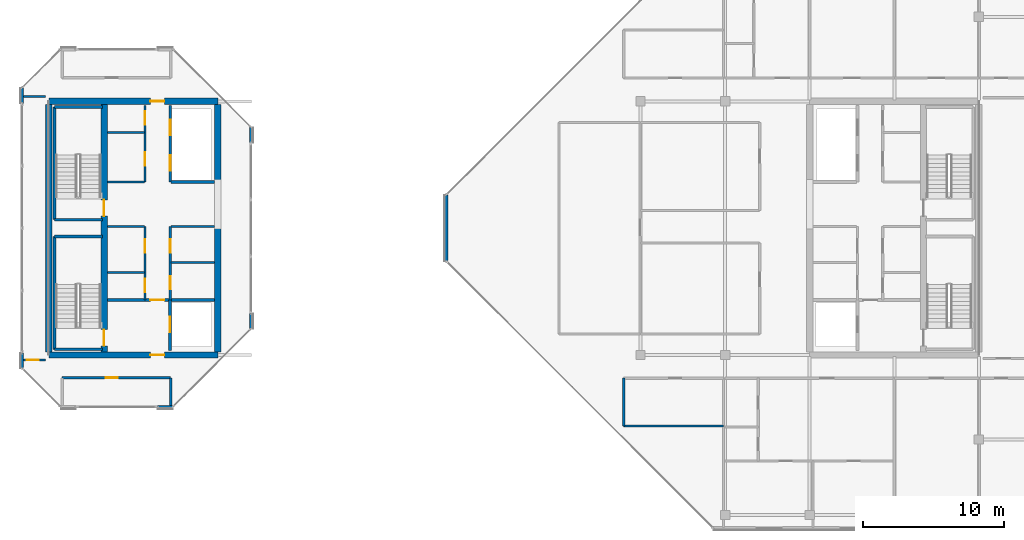
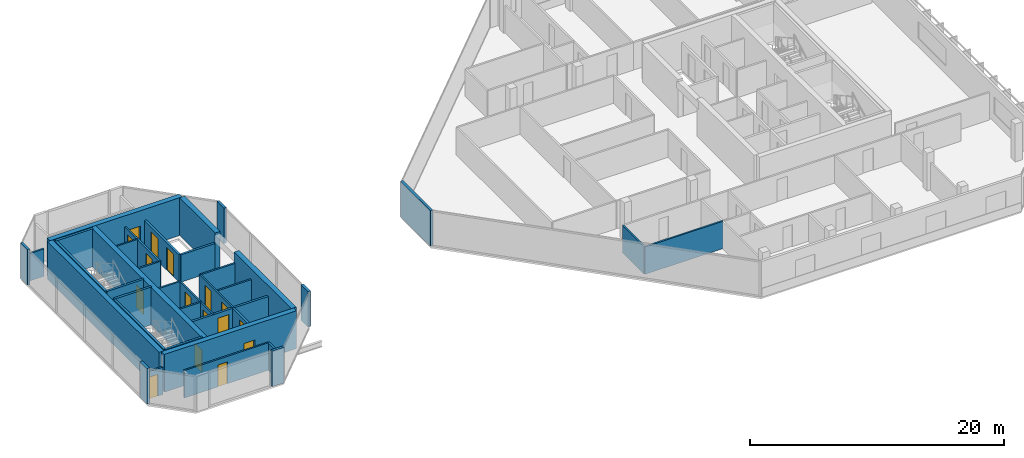
# One storey, part 21 of 28: 37 walls, 16 doors, 16 openings.
"""IFC4 building model written with IfcOpenShell, lengths in metres."""

import ifcopenshell
import ifcopenshell.guid

model = None  # the IFC model being written
_history = None  # IfcOwnerHistory: only IFC2X3 demands one
_inside = {}  # id of a spatial element -> (the spatial element, [elements in it])
_under = {}  # id of a project, library or spatial element -> (it, [spatial elements below it])
_declared = {}  # id of a project -> (the project, [libraries it declares])
_typed = {}  # id of a type object -> (the type object, [elements of that type])
_made_of = {}  # id of a material, layer set ... -> (it, [elements and type objects made of it])


def new_model(schema):
    """Start an empty IFC model of exactly this schema.

    Asked for "IFC4X3", IfcOpenShell would pick the latest addendum, in which some entities
    have other attributes; the version numbers below select the first issue.
    IFC2X3 requires an IfcOwnerHistory on every rooted entity: one is made here for all.
    """
    global model, _history
    if schema == "IFC4X3":
        model = ifcopenshell.file(schema_version=(4, 3, 0, 0))
    else:
        model = ifcopenshell.file(schema=schema)
    _inside.clear()
    _under.clear()
    _declared.clear()
    _typed.clear()
    _made_of.clear()
    _history = None
    if model.schema == "IFC2X3":
        org = make("IfcOrganization", Name="unknown")
        user = make(
            "IfcPersonAndOrganization",
            ThePerson=make("IfcPerson", FamilyName="unknown"),
            TheOrganization=org,
        )
        app = make(
            "IfcApplication",
            ApplicationDeveloper=org,
            Version="unknown",
            ApplicationFullName="unknown",
            ApplicationIdentifier="unknown",
        )
        _history = make(
            "IfcOwnerHistory",
            OwningUser=user,
            OwningApplication=app,
            ChangeAction="ADDED",
            CreationDate=0,
        )
    return model


def make(cls, **values):
    """One entity of the class cls with the attributes given. An attribute that is None is left unset."""
    return model.create_entity(
        cls, **{name: value for name, value in values.items() if value is not None}
    )


def rooted(cls, **values):
    """An entity with a GlobalId (a new one), such as an element, a storey or a relation."""
    return make(cls, GlobalId=ifcopenshell.guid.new(), OwnerHistory=_history, **values)


def si_unit(unit_type, name, prefix=None):
    """IfcSIUnit, for example si_unit("LENGTHUNIT", "METRE", prefix="MILLI")."""
    return make("IfcSIUnit", UnitType=unit_type, Prefix=prefix, Name=name)


def assignment(units):
    """IfcUnitAssignment: the units of a project."""
    return None if units is None else make("IfcUnitAssignment", Units=units)


def point(xyz):
    """IfcCartesianPoint."""
    return None if xyz is None else make("IfcCartesianPoint", Coordinates=xyz)


def direction(xyz):
    """IfcDirection."""
    return None if xyz is None else make("IfcDirection", DirectionRatios=xyz)


def frame(location, z_axis=None, x_axis=None):
    """IfcAxis2Placement3D, a coordinate frame: its origin and axes. An axis left out is left unset."""
    return make(
        "IfcAxis2Placement3D",
        Location=point(location),
        Axis=direction(z_axis),
        RefDirection=direction(x_axis),
    )


def frame_2d(location, x_axis=None):
    """IfcAxis2Placement2D, a coordinate frame in the plane: its origin and x axis."""
    return make(
        "IfcAxis2Placement2D", Location=point(location), RefDirection=direction(x_axis)
    )


def origin():
    """The frame at (0, 0, 0) with its axes left unset."""
    return frame((0.0, 0.0, 0.0))


def place(relative_to, where):
    """IfcLocalPlacement: puts the frame where relative to a parent placement (None: the world)."""
    return make(
        "IfcLocalPlacement", PlacementRelTo=relative_to, RelativePlacement=where
    )


def context(
    kind, dimensions, precision=None, world=None, true_north=None, identifier=None
):
    """IfcGeometricRepresentationContext, for example the 3D "Model" context."""
    return make(
        "IfcGeometricRepresentationContext",
        ContextIdentifier=identifier,
        ContextType=kind,
        CoordinateSpaceDimension=dimensions,
        Precision=precision,
        WorldCoordinateSystem=world,
        TrueNorth=true_north,
    )


def subcontext(parent, identifier, kind, view, scale=None):
    """IfcGeometricRepresentationSubContext, for example "Body" below "Model"."""
    return make(
        "IfcGeometricRepresentationSubContext",
        ContextIdentifier=identifier,
        ContextType=kind,
        ParentContext=parent,
        TargetScale=scale,
        TargetView=view,
    )


def project(units=None, contexts=None):
    """IfcProject with its units and contexts."""
    return rooted(
        "IfcProject",
        Name="project",
        RepresentationContexts=contexts,
        UnitsInContext=assignment(units),
    )


def spatial(cls, under=None, at=None, **own):
    """A site, building, storey or space (cls), placed at a placement, below another one or the project."""
    s = rooted(cls, ObjectPlacement=at, **own)
    if under is not None:
        _under.setdefault(under.id(), (under, []))[1].append(s)
    return s


def profile(cls, at=None, kind="AREA", **sizes):
    """A parametric profile (cls). Its sizes go by their IFC names, for example OverallWidth=200.0."""
    return make(cls, ProfileType=kind, Position=at, **sizes)


def rectangle(**sizes):
    """IfcRectangleProfileDef."""
    return profile("IfcRectangleProfileDef", **sizes)


def extrude(swept, where, along, depth):
    """IfcExtrudedAreaSolid: the profile swept, set in the frame where, extruded along a direction by depth."""
    return make(
        "IfcExtrudedAreaSolid",
        SweptArea=swept,
        Position=where,
        ExtrudedDirection=direction(along),
        Depth=depth,
    )


def shape(context_of_items, identifier, shape_type, items):
    """IfcShapeRepresentation: the items that make up one representation, for example the "Body"."""
    return make(
        "IfcShapeRepresentation",
        ContextOfItems=context_of_items,
        RepresentationIdentifier=identifier,
        RepresentationType=shape_type,
        Items=items,
    )


def material(Name=None, Category=None):
    """IfcMaterial."""
    return make("IfcMaterial", Name=Name, Category=Category)


def layer(
    of_material, thickness, ventilated=None, Name=None, Category=None, Priority=None
):
    """IfcMaterialLayer: one layer of a wall or slab, of a material (None: an air gap)."""
    return make(
        "IfcMaterialLayer",
        Material=of_material,
        LayerThickness=thickness,
        IsVentilated=ventilated,
        Name=Name,
        Category=Category,
        Priority=Priority,
    )


def layer_set(layers, Name=None):
    """IfcMaterialLayerSet."""
    return make("IfcMaterialLayerSet", MaterialLayers=layers, LayerSetName=Name)


def made_of(thing, what):
    """Note that an element or type object is made of a material, layer set ...; save() writes the relation."""
    if what is not None:
        _made_of.setdefault(what.id(), (what, []))[1].append(thing)
    return thing


def type_object(cls, material=None, **own):
    """A type object (cls), such as IfcWallType, which elements share."""
    return made_of(rooted(cls, **own), material)


def element(
    cls,
    number,
    at=None,
    inside=None,
    cuts=None,
    type_object=None,
    material=None,
    context=None,
    identifier="Body",
    shape_type=None,
    held_by="IfcProductDefinitionShape",
    body=None,
    shapes=None,
    **own,
):
    """One element of the class cls, such as IfcWall. Its Tag is "e" and its number.

    at: its placement. inside: the storey or other place that contains it. cuts: it is an
    opening in that element (IfcRelVoidsElement). A single representation is given by context,
    identifier, shape_type and body (its items); several are given by shapes. held_by: the class
    of the entity that holds the representations. save() writes the other relations.
    """
    e = rooted(cls, Tag="e%d" % number, ObjectPlacement=at, **own)
    if body is not None:
        shapes = [shape(context, identifier, shape_type, body)]
    if shapes is not None:
        e.Representation = make(held_by, Representations=shapes)
    if inside is not None:
        _inside.setdefault(inside.id(), (inside, []))[1].append(e)
    if cuts is not None:
        rooted(
            "IfcRelVoidsElement", RelatingBuildingElement=cuts, RelatedOpeningElement=e
        )
    if type_object is not None:
        _typed.setdefault(type_object.id(), (type_object, []))[1].append(e)
    return made_of(e, material)


def fill(opening, filler):
    """IfcRelFillsElement: the door or window that sits in an opening."""
    return rooted(
        "IfcRelFillsElement",
        RelatingOpeningElement=opening,
        RelatedBuildingElement=filler,
    )


def aggregate(whole, parts):
    """IfcRelAggregates: a whole, such as a stair, and the parts it consists of."""
    return rooted("IfcRelAggregates", RelatingObject=whole, RelatedObjects=parts)


def save(model, path):
    """Write the relations noted so far, then the file.

    IfcRelAggregates (storeys below a building ...), IfcRelContainedInSpatialStructure (elements
    in a storey), IfcRelDefinesByType, IfcRelAssociatesMaterial and IfcRelDeclares: one each for
    every whole, place, type object, material and project.
    """
    for whole, parts in _under.values():
        aggregate(whole, parts)
    for where, things in _inside.values():
        rooted(
            "IfcRelContainedInSpatialStructure",
            RelatedElements=things,
            RelatingStructure=where,
        )
    for kind, things in _typed.values():
        rooted("IfcRelDefinesByType", RelatedObjects=things, RelatingType=kind)
    for what, things in _made_of.values():
        rooted("IfcRelAssociatesMaterial", RelatedObjects=things, RelatingMaterial=what)
    for by, libraries in _declared.values():
        rooted("IfcRelDeclares", RelatingContext=by, RelatedDefinitions=libraries)
    model.write(path)


model = new_model("IFC4")

# Units and contexts
model_context = context("Model", 3, precision=1e-05, world=origin(), true_north=direction((0.0, 1.0)))
body_context = subcontext(model_context, "Body", "Model", "MODEL_VIEW")
ifc_project = project(units=[si_unit("LENGTHUNIT", "METRE"), si_unit("AREAUNIT", "SQUARE_METRE"), si_unit("VOLUMEUNIT", "CUBIC_METRE"), si_unit("PLANEANGLEUNIT", "RADIAN"), si_unit("MASSUNIT", "GRAM", prefix="KILO")], contexts=[model_context])

# Site, building, storey
site_placement = place(None, origin())
site = spatial("IfcSite", under=ifc_project, at=site_placement, CompositionType="ELEMENT")
building_placement = place(site_placement, origin())
building = spatial("IfcBuilding", under=site, at=building_placement, Name="Tanjung Sevakor Pilgrim Tower", CompositionType="ELEMENT")
storey_placement = place(building_placement, frame((0.0, 0.0, 246.179931640625)))
storey = spatial("IfcBuildingStorey", under=building, at=storey_placement, Name="L69", CompositionType="ELEMENT", Elevation=246.179931640625)

# Wall, opening, door
ifc_material_1 = material(Name="Concrete C60/75", Category="concrete")
ifc_layer_1 = layer(ifc_material_1, 0.449951171875)
ifc_layer_set_1 = layer_set([ifc_layer_1], Name="WALL-CW-450")
wall_type_1 = type_object("IfcWallType", Name="WALL-CW-450", PredefinedType="SHEAR", material=ifc_layer_set_1)
wall_1_placement = place(storey_placement, frame((24.0, 24.60009765625, 0.0), z_axis=(0.0, 0.0, 1.0), x_axis=(1.0, 0.0, 0.0)))
wall_1 = element("IfcWall", 1, at=wall_1_placement, inside=storey, type_object=wall_type_1, Name="L69 W Core South Shear Wall", PredefinedType="SHEAR", context=body_context, shape_type="SweptSolid", body=[
    extrude(rectangle(XDim=12.0, YDim=0.449951171875, at=frame_2d((6.0, 0.0))), origin(), (0.0, 0.0, 1.0), 3.630126953125),
])
opening_1_placement = place(wall_1_placement, frame((7.199951171875, 0.0, 0.0)))
opening_1 = element("IfcOpeningElement", 2, at=opening_1_placement, cuts=wall_1, Name="Opening ID-FD1", PredefinedType="OPENING", context=body_context, shape_type="SweptSolid", body=[
    extrude(rectangle(XDim=1.0, YDim=2.14990234375, at=frame_2d((0.5, 1.074951171875))), frame((0.0, 0.23486328125, 0.0), z_axis=(0.0, -1.0, 0.0), x_axis=(1.0, 0.0, 0.0)), (0.0, 0.0, 1.0), 0.469970703125),
])
ifc_material_2 = material(Name="Fire-Rated Steel S355J2", Category="steel")
door_type_1 = type_object("IfcDoorType", Name="DT-FIRE-1000", OperationType="NOTDEFINED", PredefinedType="DOOR", material=ifc_material_2)
door_1_placement = place(opening_1_placement, origin())
door_1 = element("IfcDoor", 3, at=door_1_placement, inside=storey, type_object=door_type_1, Name="L69 West Core South Vestibule Fire Door", OperationType="SINGLE_SWING_LEFT", OverallHeight=2.14990234375, OverallWidth=1.0, PredefinedType="DOOR", context=body_context, shape_type="SweptSolid", body=[
    extrude(rectangle(XDim=1.0, YDim=2.14990234375, at=frame_2d((0.5, 1.074951171875))), frame((0.0, 0.02490234375, 0.0), z_axis=(0.0, -1.0, 0.0), x_axis=(1.0, 0.0, 0.0)), (0.0, 0.0, 1.0), 0.050048828125),
])
fill(opening_1, door_1)

wall_2_placement = place(storey_placement, frame((36.0, 42.60009765625, 0.0), z_axis=(0.0, 0.0, 1.0), x_axis=(-1.0, 0.0, 0.0)))
wall_2 = element("IfcWall", 4, at=wall_2_placement, inside=storey, type_object=wall_type_1, Name="L69 W Core North Shear Wall", PredefinedType="SHEAR", context=body_context, shape_type="SweptSolid", body=[
    extrude(rectangle(XDim=12.0, YDim=0.449951171875, at=frame_2d((6.0, 0.0))), origin(), (0.0, 0.0, 1.0), 3.630126953125),
])
opening_2_placement = place(wall_2_placement, frame((3.800048828125, 0.0, 0.0)))
opening_2 = element("IfcOpeningElement", 5, at=opening_2_placement, cuts=wall_2, Name="Opening ID-FD1", PredefinedType="OPENING", context=body_context, shape_type="SweptSolid", body=[
    extrude(rectangle(XDim=1.0, YDim=2.14990234375, at=frame_2d((0.5, 1.074951171875))), frame((0.0, 0.23486328125, 0.0), z_axis=(0.0, -1.0, 0.0), x_axis=(1.0, 0.0, 0.0)), (0.0, 0.0, 1.0), 0.469970703125),
])
door_2_placement = place(opening_2_placement, origin())
door_2 = element("IfcDoor", 6, at=door_2_placement, inside=storey, type_object=door_type_1, Name="L69 West Core North Vestibule Fire Door", OperationType="SINGLE_SWING_RIGHT", OverallHeight=2.14990234375, OverallWidth=1.0, PredefinedType="DOOR", context=body_context, shape_type="SweptSolid", body=[
    extrude(rectangle(XDim=1.0, YDim=2.14990234375, at=frame_2d((0.5, 1.074951171875))), frame((0.0, 0.02490234375, 0.0), z_axis=(0.0, -1.0, 0.0), x_axis=(1.0, 0.0, 0.0)), (0.0, 0.0, 1.0), 0.050048828125),
])
fill(opening_2, door_2)

# Walls
wall_3_placement = place(storey_placement, frame((24.0, 24.824951171875, 0.0), z_axis=(0.0, 0.0, 1.0), x_axis=(0.0, 1.0, 0.0)))
element("IfcWall", 7, at=wall_3_placement, inside=storey, type_object=wall_type_1, Name="L69 W Core Outer Shear Wall", PredefinedType="SHEAR", context=body_context, shape_type="SweptSolid", body=[
    extrude(rectangle(XDim=17.550048828125, YDim=0.449951171875, at=frame_2d((8.77490234375, 0.0))), origin(), (0.0, 0.0, 1.0), 3.630126953125),
])
wall_4_placement = place(storey_placement, frame((36.0, 24.824951171875, 0.0), z_axis=(0.0, 0.0, 1.0), x_axis=(0.0, 1.0, 0.0)))
element("IfcWall", 8, at=wall_4_placement, inside=storey, type_object=wall_type_1, Name="L69 W Core Inner Shear Wall South", PredefinedType="SHEAR", context=body_context, shape_type="SweptSolid", body=[
    extrude(rectangle(XDim=8.97509765625, YDim=0.449951171875, at=frame_2d((4.487548828125, 0.0))), origin(), (0.0, 0.0, 1.0), 3.630126953125),
])
wall_5_placement = place(storey_placement, frame((36.0, 36.800048828125, 0.0), z_axis=(0.0, 0.0, 1.0), x_axis=(0.0, 1.0, 0.0)))
element("IfcWall", 9, at=wall_5_placement, inside=storey, type_object=wall_type_1, Name="L69 W Core Inner Shear Wall North", PredefinedType="SHEAR", context=body_context, shape_type="SweptSolid", body=[
    extrude(rectangle(XDim=5.574951171875, YDim=0.449951171875, at=frame_2d((2.78759765625, 0.0))), origin(), (0.0, 0.0, 1.0), 3.630126953125),
])

# Wall, openings, doors
wall_6_placement = place(storey_placement, frame((27.925048828125, 24.824951171875, 0.0), z_axis=(0.0, 0.0, 1.0), x_axis=(0.0, 1.0, 0.0)))
wall_6 = element("IfcWall", 10, at=wall_6_placement, inside=storey, type_object=wall_type_1, Name="L69 W Core Stair Spine Wall", PredefinedType="SHEAR", context=body_context, shape_type="SweptSolid", body=[
    extrude(rectangle(XDim=17.550048828125, YDim=0.449951171875, at=frame_2d((8.77490234375, 0.0))), origin(), (0.0, 0.0, 1.0), 3.630126953125),
])
opening_3_placement = place(wall_6_placement, frame((0.425048828125, 0.0, 0.0)))
opening_3 = element("IfcOpeningElement", 11, at=opening_3_placement, cuts=wall_6, Name="Opening ID-ST1", PredefinedType="OPENING", context=body_context, shape_type="SweptSolid", body=[
    extrude(rectangle(XDim=1.14990234375, YDim=2.14990234375, at=frame_2d((0.574951171875, 1.074951171875))), frame((0.0, 0.23486328125, 0.0), z_axis=(0.0, -1.0, 0.0), x_axis=(1.0, 0.0, 0.0)), (0.0, 0.0, 1.0), 0.469970703125),
])
opening_4_placement = place(wall_6_placement, frame((9.625, 0.0, 0.0)))
opening_4 = element("IfcOpeningElement", 12, at=opening_4_placement, cuts=wall_6, Name="Opening ID-ST1", PredefinedType="OPENING", context=body_context, shape_type="SweptSolid", body=[
    extrude(rectangle(XDim=1.14990234375, YDim=2.14990234375, at=frame_2d((0.574951171875, 1.074951171875))), frame((0.0, 0.23486328125, 0.0), z_axis=(0.0, -1.0, 0.0), x_axis=(1.0, 0.0, 0.0)), (0.0, 0.0, 1.0), 0.469970703125),
])
ifc_material_3 = material(Name="Fire-Rated Steel S355J2", Category="steel")
door_type_2 = type_object("IfcDoorType", Name="DT-FIRE-1150", OperationType="NOTDEFINED", PredefinedType="DOOR", material=ifc_material_3)
door_3_placement = place(opening_3_placement, origin())
door_3 = element("IfcDoor", 13, at=door_3_placement, inside=storey, type_object=door_type_2, Name="L69 TS-W1 Stair Fire Door", OperationType="SINGLE_SWING_LEFT", OverallHeight=2.14990234375, OverallWidth=1.14990234375, PredefinedType="DOOR", context=body_context, shape_type="SweptSolid", body=[
    extrude(rectangle(XDim=1.14990234375, YDim=2.14990234375, at=frame_2d((0.574951171875, 1.074951171875))), frame((0.0, 0.02490234375, 0.0), z_axis=(0.0, -1.0, 0.0), x_axis=(1.0, 0.0, 0.0)), (0.0, 0.0, 1.0), 0.050048828125),
])
fill(opening_3, door_3)
door_4_placement = place(opening_4_placement, origin())
door_4 = element("IfcDoor", 14, at=door_4_placement, inside=storey, type_object=door_type_2, Name="L69 TS-W2 Stair Fire Door", OperationType="SINGLE_SWING_RIGHT", OverallHeight=2.14990234375, OverallWidth=1.14990234375, PredefinedType="DOOR", context=body_context, shape_type="SweptSolid", body=[
    extrude(rectangle(XDim=1.14990234375, YDim=2.14990234375, at=frame_2d((0.574951171875, 1.074951171875))), frame((0.0, 0.02490234375, 0.0), z_axis=(0.0, -1.0, 0.0), x_axis=(1.0, 0.0, 0.0)), (0.0, 0.0, 1.0), 0.050048828125),
])
fill(opening_4, door_4)

# Walls
ifc_material_4 = material(Name="Concrete C40/50", Category="concrete")
ifc_layer_2 = layer(ifc_material_4, 0.14990234375)
ifc_layer_set_2 = layer_set([ifc_layer_2], Name="WT-COMP-150")
wall_type_2 = type_object("IfcWallType", Name="WT-COMP-150", PredefinedType="SOLIDWALL", material=ifc_layer_set_2)
for number, where, z_axis, x_axis, name in (
    (15, (28.169921875, 30.449951171875, 0.0), (0.0, 0.0, 1.0), (1.0, 0.0, 0.0), "L69 Partition IW-L69-003"),
    (16, (28.169921875, 33.719970703125, 0.0), (0.0, 0.0, 1.0), (1.0, 0.0, 0.0), "L69 Partition IW-L69-004"),
):
    element("IfcWall", number, at=place(storey_placement, frame(where, z_axis=z_axis, x_axis=x_axis)), inside=storey, type_object=wall_type_2, Name=name, PredefinedType="SOLIDWALL", context=body_context, shape_type="SweptSolid", body=[
        extrude(rectangle(XDim=2.630126953125, YDim=0.14990234375, at=frame_2d((1.31494140625, 0.0))), origin(), (0.0, 0.0, 1.0), 2.6298828125),
    ])

# Wall, openings, doors
wall_7_placement = place(storey_placement, frame((30.820068359375, 28.5, 0.0), z_axis=(0.0, 0.0, 1.0), x_axis=(0.0, 1.0, 0.0)))
wall_7 = element("IfcWall", 17, at=wall_7_placement, inside=storey, type_object=wall_type_2, Name="L69 Partition IW-L69-005", PredefinedType="SOLIDWALL", context=body_context, shape_type="SweptSolid", body=[
    extrude(rectangle(XDim=5.219970703125, YDim=0.14990234375, at=frame_2d((2.60986328125, 0.0))), origin(), (0.0, 0.0, 1.0), 2.6298828125),
])
opening_5_placement = place(wall_7_placement, frame((0.550048828125, 0.0, 0.0)))
opening_5 = element("IfcOpeningElement", 18, at=opening_5_placement, cuts=wall_7, Name="Opening ID-FD2", PredefinedType="OPENING", context=body_context, shape_type="SweptSolid", body=[
    extrude(rectangle(XDim=0.949951171875, YDim=2.14990234375, at=frame_2d((0.47509765625, 1.074951171875))), frame((0.0, 0.0849609375, 0.0), z_axis=(0.0, -1.0, 0.0), x_axis=(1.0, 0.0, 0.0)), (0.0, 0.0, 1.0), 0.169921875),
])
opening_6_placement = place(wall_7_placement, frame((3.35009765625, 0.0, 0.0)))
opening_6 = element("IfcOpeningElement", 19, at=opening_6_placement, cuts=wall_7, Name="Opening ID-FD2", PredefinedType="OPENING", context=body_context, shape_type="SweptSolid", body=[
    extrude(rectangle(XDim=0.949951171875, YDim=2.14990234375, at=frame_2d((0.47509765625, 1.074951171875))), frame((0.0, 0.0849609375, 0.0), z_axis=(0.0, -1.0, 0.0), x_axis=(1.0, 0.0, 0.0)), (0.0, 0.0, 1.0), 0.169921875),
])
ifc_material_5 = material(Name="Fire-Rated Timber", Category="wood")
door_type_3 = type_object("IfcDoorType", Name="DT-FIRE-950", OperationType="NOTDEFINED", PredefinedType="DOOR", material=ifc_material_5)
door_5_placement = place(opening_5_placement, origin())
door_5 = element("IfcDoor", 20, at=door_5_placement, inside=storey, type_object=door_type_3, Name="L69 Cleaner Store Door", OperationType="SINGLE_SWING_LEFT", OverallHeight=2.14990234375, OverallWidth=0.949951171875, PredefinedType="DOOR", context=body_context, shape_type="SweptSolid", body=[
    extrude(rectangle(XDim=0.949951171875, YDim=2.14990234375, at=frame_2d((0.47509765625, 1.074951171875))), frame((0.0, 0.02490234375, 0.0), z_axis=(0.0, -1.0, 0.0), x_axis=(1.0, 0.0, 0.0)), (0.0, 0.0, 1.0), 0.050048828125),
])
fill(opening_5, door_5)
door_6_placement = place(opening_6_placement, origin())
door_6 = element("IfcDoor", 21, at=door_6_placement, inside=storey, type_object=door_type_3, Name="L69 Housekeeping Pantry Door", OperationType="SINGLE_SWING_RIGHT", OverallHeight=2.14990234375, OverallWidth=0.949951171875, PredefinedType="DOOR", context=body_context, shape_type="SweptSolid", body=[
    extrude(rectangle(XDim=0.949951171875, YDim=2.14990234375, at=frame_2d((0.47509765625, 1.074951171875))), frame((0.0, 0.02490234375, 0.0), z_axis=(0.0, -1.0, 0.0), x_axis=(1.0, 0.0, 0.0)), (0.0, 0.0, 1.0), 0.050048828125),
])
fill(opening_6, door_6)

# Walls
for number, where, z_axis, x_axis, name in (
    (22, (32.679931640625, 31.14990234375, 0.0), (0.0, 0.0, 1.0), (1.0, 0.0, 0.0), "L69 Partition IW-L69-006"),
    (23, (32.679931640625, 33.719970703125, 0.0), (0.0, 0.0, 1.0), (1.0, 0.0, 0.0), "L69 Partition IW-L69-007"),
):
    element("IfcWall", number, at=place(storey_placement, frame(where, z_axis=z_axis, x_axis=x_axis)), inside=storey, type_object=wall_type_2, Name=name, PredefinedType="SOLIDWALL", context=body_context, shape_type="SweptSolid", body=[
        extrude(rectangle(XDim=3.074951171875, YDim=0.14990234375, at=frame_2d((1.53759765625, 0.0))), origin(), (0.0, 0.0, 1.0), 2.6298828125),
    ])

# Wall, openings, doors
wall_8_placement = place(storey_placement, frame((32.6201171875, 28.5, 0.0), z_axis=(0.0, 0.0, 1.0), x_axis=(0.0, 1.0, 0.0)))
wall_8 = element("IfcWall", 24, at=wall_8_placement, inside=storey, type_object=wall_type_2, Name="L69 Partition IW-L69-008", PredefinedType="SOLIDWALL", context=body_context, shape_type="SweptSolid", body=[
    extrude(rectangle(XDim=5.219970703125, YDim=0.14990234375, at=frame_2d((2.60986328125, 0.0))), origin(), (0.0, 0.0, 1.0), 2.6298828125),
])
opening_7_placement = place(wall_8_placement, frame((0.75, 0.0, 0.0)))
opening_7 = element("IfcOpeningElement", 25, at=opening_7_placement, cuts=wall_8, Name="Opening ID-FD2", PredefinedType="OPENING", context=body_context, shape_type="SweptSolid", body=[
    extrude(rectangle(XDim=0.949951171875, YDim=2.14990234375, at=frame_2d((0.47509765625, 1.074951171875))), frame((0.0, 0.0849609375, 0.0), z_axis=(0.0, -1.0, 0.0), x_axis=(1.0, 0.0, 0.0)), (0.0, 0.0, 1.0), 0.169921875),
])
opening_8_placement = place(wall_8_placement, frame((3.35009765625, 0.0, 0.0)))
opening_8 = element("IfcOpeningElement", 26, at=opening_8_placement, cuts=wall_8, Name="Opening ID-FD2", PredefinedType="OPENING", context=body_context, shape_type="SweptSolid", body=[
    extrude(rectangle(XDim=0.949951171875, YDim=2.14990234375, at=frame_2d((0.47509765625, 1.074951171875))), frame((0.0, 0.0849609375, 0.0), z_axis=(0.0, -1.0, 0.0), x_axis=(1.0, 0.0, 0.0)), (0.0, 0.0, 1.0), 0.169921875),
])
door_7_placement = place(opening_7_placement, origin())
door_7 = element("IfcDoor", 27, at=door_7_placement, inside=storey, type_object=door_type_3, Name="L69 Accessible WC Door", OperationType="SINGLE_SWING_LEFT", OverallHeight=2.14990234375, OverallWidth=0.949951171875, PredefinedType="DOOR", context=body_context, shape_type="SweptSolid", body=[
    extrude(rectangle(XDim=0.949951171875, YDim=2.14990234375, at=frame_2d((0.47509765625, 1.074951171875))), frame((0.0, 0.02490234375, 0.0), z_axis=(0.0, -1.0, 0.0), x_axis=(1.0, 0.0, 0.0)), (0.0, 0.0, 1.0), 0.050048828125),
])
fill(opening_7, door_7)
door_8_placement = place(opening_8_placement, origin())
door_8 = element("IfcDoor", 28, at=door_8_placement, inside=storey, type_object=door_type_3, Name="L69 Core Service Door", OperationType="SINGLE_SWING_RIGHT", OverallHeight=2.14990234375, OverallWidth=0.949951171875, PredefinedType="DOOR", context=body_context, shape_type="SweptSolid", body=[
    extrude(rectangle(XDim=0.949951171875, YDim=2.14990234375, at=frame_2d((0.47509765625, 1.074951171875))), frame((0.0, 0.02490234375, 0.0), z_axis=(0.0, -1.0, 0.0), x_axis=(1.0, 0.0, 0.0)), (0.0, 0.0, 1.0), 0.050048828125),
])
fill(opening_8, door_8)

# Walls
for number, where, z_axis, x_axis, name in (
    (29, (28.169921875, 36.8798828125, 0.0), (0.0, 0.0, 1.0), (1.0, 0.0, 0.0), "L69 Partition IW-L69-009"),
    (30, (28.169921875, 40.389892578125, 0.0), (0.0, 0.0, 1.0), (1.0, 0.0, 0.0), "L69 Partition IW-L69-010"),
):
    element("IfcWall", number, at=place(storey_placement, frame(where, z_axis=z_axis, x_axis=x_axis)), inside=storey, type_object=wall_type_2, Name=name, PredefinedType="SOLIDWALL", context=body_context, shape_type="SweptSolid", body=[
        extrude(rectangle(XDim=2.630126953125, YDim=0.14990234375, at=frame_2d((1.31494140625, 0.0))), origin(), (0.0, 0.0, 1.0), 2.6298828125),
    ])

# Wall, openings, doors
wall_9_placement = place(storey_placement, frame((30.820068359375, 36.8798828125, 0.0), z_axis=(0.0, 0.0, 1.0), x_axis=(0.0, 1.0, 0.0)))
wall_9 = element("IfcWall", 31, at=wall_9_placement, inside=storey, type_object=wall_type_2, Name="L69 Partition IW-L69-011", PredefinedType="SOLIDWALL", context=body_context, shape_type="SweptSolid", body=[
    extrude(rectangle(XDim=5.420166015625, YDim=0.14990234375, at=frame_2d((2.7099609375, 0.0))), origin(), (0.0, 0.0, 1.0), 2.6298828125),
])
opening_9_placement = place(wall_9_placement, frame((1.14990234375, 0.0, 0.0)))
opening_9 = element("IfcOpeningElement", 32, at=opening_9_placement, cuts=wall_9, Name="Opening ID-FD2", PredefinedType="OPENING", context=body_context, shape_type="SweptSolid", body=[
    extrude(rectangle(XDim=0.949951171875, YDim=2.14990234375, at=frame_2d((0.47509765625, 1.074951171875))), frame((0.0, 0.0849609375, 0.0), z_axis=(0.0, -1.0, 0.0), x_axis=(1.0, 0.0, 0.0)), (0.0, 0.0, 1.0), 0.169921875),
])
opening_10_placement = place(wall_9_placement, frame((4.050048828125, 0.0, 0.0)))
opening_10 = element("IfcOpeningElement", 33, at=opening_10_placement, cuts=wall_9, Name="Opening ID-FD2", PredefinedType="OPENING", context=body_context, shape_type="SweptSolid", body=[
    extrude(rectangle(XDim=0.949951171875, YDim=2.14990234375, at=frame_2d((0.47509765625, 1.074951171875))), frame((0.0, 0.0849609375, 0.0), z_axis=(0.0, -1.0, 0.0), x_axis=(1.0, 0.0, 0.0)), (0.0, 0.0, 1.0), 0.169921875),
])
door_9_placement = place(opening_9_placement, origin())
door_9 = element("IfcDoor", 34, at=door_9_placement, inside=storey, type_object=door_type_3, Name="L69 Core Study Room Door", OperationType="SINGLE_SWING_LEFT", OverallHeight=2.14990234375, OverallWidth=0.949951171875, PredefinedType="DOOR", context=body_context, shape_type="SweptSolid", body=[
    extrude(rectangle(XDim=0.949951171875, YDim=2.14990234375, at=frame_2d((0.47509765625, 1.074951171875))), frame((0.0, 0.02490234375, 0.0), z_axis=(0.0, -1.0, 0.0), x_axis=(1.0, 0.0, 0.0)), (0.0, 0.0, 1.0), 0.050048828125),
])
fill(opening_9, door_9)
door_10_placement = place(opening_10_placement, origin())
door_10 = element("IfcDoor", 35, at=door_10_placement, inside=storey, type_object=door_type_3, Name="L69 Service Store Door", OperationType="SINGLE_SWING_RIGHT", OverallHeight=2.14990234375, OverallWidth=0.949951171875, PredefinedType="DOOR", context=body_context, shape_type="SweptSolid", body=[
    extrude(rectangle(XDim=0.949951171875, YDim=2.14990234375, at=frame_2d((0.47509765625, 1.074951171875))), frame((0.0, 0.02490234375, 0.0), z_axis=(0.0, -1.0, 0.0), x_axis=(1.0, 0.0, 0.0)), (0.0, 0.0, 1.0), 0.050048828125),
])
fill(opening_10, door_10)

# Wall, opening, door
wall_10_placement = place(storey_placement, frame((24.949951171875, 22.97998046875, 0.0), z_axis=(0.0, 0.0, 1.0), x_axis=(1.0, 0.0, 0.0)))
wall_10 = element("IfcWall", 36, at=wall_10_placement, inside=storey, type_object=wall_type_2, Name="L69 Partition IW-L69-027", PredefinedType="SOLIDWALL", context=body_context, shape_type="SweptSolid", body=[
    extrude(rectangle(XDim=7.699951171875, YDim=0.14990234375, at=frame_2d((3.85009765625, 0.0))), origin(), (0.0, 0.0, 1.0), 2.6298828125),
])
opening_11_placement = place(wall_10_placement, frame((3.074951171875, 0.0, 0.0)))
opening_11 = element("IfcOpeningElement", 37, at=opening_11_placement, cuts=wall_10, Name="Opening ID-WC1", PredefinedType="OPENING", context=body_context, shape_type="SweptSolid", body=[
    extrude(rectangle(XDim=0.85009765625, YDim=2.10009765625, at=frame_2d((0.425048828125, 1.050048828125))), frame((0.0, 0.0849609375, 0.0), z_axis=(0.0, -1.0, 0.0), x_axis=(1.0, 0.0, 0.0)), (0.0, 0.0, 1.0), 0.169921875),
])
ifc_material_6 = material(Name="Moisture-Resistant Timber", Category="wood")
door_type_4 = type_object("IfcDoorType", Name="DT-INT-850", OperationType="NOTDEFINED", PredefinedType="DOOR", material=ifc_material_6)
door_11_placement = place(opening_11_placement, origin())
door_11 = element("IfcDoor", 38, at=door_11_placement, inside=storey, type_object=door_type_4, Name="L69 West Peak Meditation Door", OperationType="SINGLE_SWING_LEFT", OverallHeight=2.10009765625, OverallWidth=0.85009765625, PredefinedType="DOOR", context=body_context, shape_type="SweptSolid", body=[
    extrude(rectangle(XDim=0.85009765625, YDim=2.10009765625, at=frame_2d((0.425048828125, 1.050048828125))), frame((0.0, 0.02490234375, 0.0), z_axis=(0.0, -1.0, 0.0), x_axis=(1.0, 0.0, 0.0)), (0.0, 0.0, 1.0), 0.050048828125),
])
fill(opening_11, door_11)

# Wall
wall_11_placement = place(storey_placement, frame((32.64990234375, 20.919921875, 0.0), z_axis=(0.0, 0.0, 1.0), x_axis=(0.0, 1.0, 0.0)))
element("IfcWall", 39, at=wall_11_placement, inside=storey, type_object=wall_type_2, Name="L69 Partition IW-L69-029", PredefinedType="SOLIDWALL", context=body_context, shape_type="SweptSolid", body=[
    extrude(rectangle(XDim=2.06005859375, YDim=0.14990234375, at=frame_2d((1.030029296875, 0.0))), origin(), (0.0, 0.0, 1.0), 2.6298828125),
])

# Wall, opening, door
wall_12_placement = place(storey_placement, frame((22.1201171875, 24.25, 0.0), z_axis=(0.0, 0.0, 1.0), x_axis=(1.0, 0.0, 0.0)))
wall_12 = element("IfcWall", 40, at=wall_12_placement, inside=storey, type_object=wall_type_2, Name="L69 Partition IW-L69-030", PredefinedType="SOLIDWALL", context=body_context, shape_type="SweptSolid", body=[
    extrude(rectangle(XDim=1.639892578125, YDim=0.14990234375, at=frame_2d((0.81982421875, 0.0))), origin(), (0.0, 0.0, 1.0), 2.6298828125),
])
opening_12_placement = place(wall_12_placement, frame((0.324951171875, 0.0, 0.0)))
opening_12 = element("IfcOpeningElement", 41, at=opening_12_placement, cuts=wall_12, Name="Opening ID-WC1", PredefinedType="OPENING", context=body_context, shape_type="SweptSolid", body=[
    extrude(rectangle(XDim=0.85009765625, YDim=2.10009765625, at=frame_2d((0.425048828125, 1.050048828125))), frame((0.0, 0.0849609375, 0.0), z_axis=(0.0, -1.0, 0.0), x_axis=(1.0, 0.0, 0.0)), (0.0, 0.0, 1.0), 0.169921875),
])
door_12_placement = place(opening_12_placement, origin())
door_12 = element("IfcDoor", 42, at=door_12_placement, inside=storey, type_object=door_type_4, Name="L69 West Peak Sky Lounge Door", OperationType="SINGLE_SWING_RIGHT", OverallHeight=2.10009765625, OverallWidth=0.85009765625, PredefinedType="DOOR", context=body_context, shape_type="SweptSolid", body=[
    extrude(rectangle(XDim=0.85009765625, YDim=2.10009765625, at=frame_2d((0.425048828125, 1.050048828125))), frame((0.0, 0.02490234375, 0.0), z_axis=(0.0, -1.0, 0.0), x_axis=(1.0, 0.0, 0.0)), (0.0, 0.0, 1.0), 0.050048828125),
])
fill(opening_12, door_12)

# Walls
wall_13_placement = place(storey_placement, frame((22.1201171875, 42.949951171875, 0.0), z_axis=(0.0, 0.0, 1.0), x_axis=(1.0, 0.0, 0.0)))
element("IfcWall", 43, at=wall_13_placement, inside=storey, type_object=wall_type_2, Name="L69 Partition IW-L69-031", PredefinedType="SOLIDWALL", context=body_context, shape_type="SweptSolid", body=[
    extrude(rectangle(XDim=1.639892578125, YDim=0.14990234375, at=frame_2d((0.81982421875, 0.0))), origin(), (0.0, 0.0, 1.0), 2.6298828125),
])
wall_14_placement = place(storey_placement, frame((64.800048828125, 19.550048828125, 0.0), z_axis=(0.0, 0.0, 1.0), x_axis=(1.0, 0.0, 0.0)))
element("IfcWall", 44, at=wall_14_placement, inside=storey, type_object=wall_type_2, Name="L69 Partition IW-L69-035", PredefinedType="SOLIDWALL", context=body_context, shape_type="SweptSolid", body=[
    extrude(rectangle(XDim=7.079833984375, YDim=0.14990234375, at=frame_2d((3.5400390625, 0.0))), origin(), (0.0, 0.0, 1.0), 2.6298828125),
])
wall_15_placement = place(storey_placement, frame((64.800048828125, 19.550048828125, 0.0), z_axis=(0.0, 0.0, 1.0), x_axis=(0.0, 1.0, 0.0)))
element("IfcWall", 45, at=wall_15_placement, inside=storey, type_object=wall_type_2, Name="L69 Partition IW-L69-037", PredefinedType="SOLIDWALL", context=body_context, shape_type="SweptSolid", body=[
    extrude(rectangle(XDim=3.39990234375, YDim=0.14990234375, at=frame_2d((1.699951171875, 0.0))), origin(), (0.0, 0.0, 1.0), 2.6298828125),
])
ifc_material_7 = material(Name="Precast concrete C45/55", Category="concrete")
ifc_layer_3 = layer(ifc_material_7, 0.219970703125)
ifc_layer_set_3 = layer_set([ifc_layer_3], Name="WT-EW-STN4")
wall_type_3 = type_object("IfcWallType", Name="WT-EW-STN4", PredefinedType="SOLIDWALL", material=ifc_layer_set_3)
for number, where, z_axis, x_axis, name in (
    (46, (31.704345703125, 20.909912109375, 0.0), (0.0, 0.0, 1.0), (1.0, 0.0, 0.0), "L69 WEST Crown Pier 0-1B"),
    (47, (38.340087890625, 26.445556640625, 0.0), (0.0, 0.0, 1.0), (0.0, 1.0, 0.0), "L69 WEST Crown Pier 2-1A"),
    (48, (38.340087890625, 39.654296875, 0.0), (0.0, 0.0, 1.0), (0.0, 1.0, 0.0), "L69 WEST Crown Pier 2-1B"),
    (49, (22.110107421875, 43.554443359375, 0.0), (0.0, 0.0, 1.0), (0.0, -1.0, 0.0), "L69 WEST Crown Pier 6-1A"),
    (50, (22.110107421875, 24.74560546875, 0.0), (0.0, 0.0, 1.0), (0.0, -1.0, 0.0), "L69 WEST Crown Pier 6-1B"),
):
    element("IfcWall", number, at=place(storey_placement, frame(where, z_axis=z_axis, x_axis=x_axis)), inside=storey, type_object=wall_type_3, Name=name, PredefinedType="SOLIDWALL", context=body_context, shape_type="SweptSolid", body=[
        extrude(rectangle(XDim=1.10009765625, YDim=0.219970703125, at=frame_2d((0.550048828125, 0.0))), origin(), (0.0, 0.0, 1.0), 3.409912109375),
    ])
wall_16_placement = place(storey_placement, frame((52.2099609375, 35.954345703125, 0.0), z_axis=(0.0, 0.0, 1.0), x_axis=(0.0, -1.0, 0.0)))
element("IfcWall", 51, at=wall_16_placement, inside=storey, type_object=wall_type_3, Name="L69 EAST Exterior Wall 7", PredefinedType="SOLIDWALL", context=body_context, shape_type="SweptSolid", body=[
    extrude(rectangle(XDim=4.708740234375, YDim=0.219970703125, at=frame_2d((2.3544921875, 0.0))), origin(), (0.0, 0.0, 1.0), 3.409912109375),
])
ifc_material_8 = material(Name="Concrete C40/50", Category="concrete")
ifc_layer_4 = layer(ifc_material_8, 0.199951171875)
ifc_layer_set_4 = layer_set([ifc_layer_4], Name="WT-FIRE-200")
wall_type_4 = type_object("IfcWallType", Name="WT-FIRE-200", PredefinedType="SOLIDWALL", material=ifc_layer_set_4)
for number, where, z_axis, x_axis, name in (
    (52, (24.39990234375, 25.0, 0.0), (0.0, 0.0, 1.0), (1.0, 0.0, 0.0), "L69 TS-W1 Shaft Wall 1"),
    (53, (27.800048828125, 33.0, 0.0), (0.0, 0.0, 1.0), (-1.0, 0.0, 0.0), "L69 TS-W1 Shaft Wall 2"),
):
    element("IfcWall", number, at=place(storey_placement, frame(where, z_axis=z_axis, x_axis=x_axis)), inside=storey, type_object=wall_type_4, Name=name, PredefinedType="SOLIDWALL", context=body_context, shape_type="SweptSolid", body=[
        extrude(rectangle(XDim=3.400146484375, YDim=0.199951171875, at=frame_2d((1.7001953125, 0.0))), origin(), (0.0, 0.0, 1.0), 3.630126953125),
    ])
wall_17_placement = place(storey_placement, frame((24.39990234375, 33.0, 0.0), z_axis=(0.0, 0.0, 1.0), x_axis=(0.0, -1.0, 0.0)))
element("IfcWall", 54, at=wall_17_placement, inside=storey, type_object=wall_type_4, Name="L69 TS-W1 Shaft Wall 3", PredefinedType="SOLIDWALL", context=body_context, shape_type="SweptSolid", body=[
    extrude(rectangle(XDim=8.0, YDim=0.199951171875, at=frame_2d((4.0, 0.0))), origin(), (0.0, 0.0, 1.0), 3.630126953125),
])
for number, where, z_axis, x_axis, name in (
    (55, (24.39990234375, 34.199951171875, 0.0), (0.0, 0.0, 1.0), (1.0, 0.0, 0.0), "L69 TS-W2 Shaft Wall 1"),
    (56, (27.800048828125, 42.199951171875, 0.0), (0.0, 0.0, 1.0), (-1.0, 0.0, 0.0), "L69 TS-W2 Shaft Wall 2"),
):
    element("IfcWall", number, at=place(storey_placement, frame(where, z_axis=z_axis, x_axis=x_axis)), inside=storey, type_object=wall_type_4, Name=name, PredefinedType="SOLIDWALL", context=body_context, shape_type="SweptSolid", body=[
        extrude(rectangle(XDim=3.400146484375, YDim=0.199951171875, at=frame_2d((1.7001953125, 0.0))), origin(), (0.0, 0.0, 1.0), 3.630126953125),
    ])
wall_18_placement = place(storey_placement, frame((24.39990234375, 42.199951171875, 0.0), z_axis=(0.0, 0.0, 1.0), x_axis=(0.0, -1.0, 0.0)))
element("IfcWall", 57, at=wall_18_placement, inside=storey, type_object=wall_type_4, Name="L69 TS-W2 Shaft Wall 3", PredefinedType="SOLIDWALL", context=body_context, shape_type="SweptSolid", body=[
    extrude(rectangle(XDim=8.0, YDim=0.199951171875, at=frame_2d((4.0, 0.0))), origin(), (0.0, 0.0, 1.0), 3.630126953125),
])

# Wall, opening, door
ifc_material_9 = material(Name="Concrete C40/50", Category="concrete")
ifc_layer_5 = layer(ifc_material_9, 0.199951171875)
ifc_layer_set_5 = layer_set([ifc_layer_5], Name="WT-FPRT-200")
wall_type_5 = type_object("IfcWallType", Name="WT-FPRT-200", PredefinedType="SOLIDWALL", material=ifc_layer_set_5)
wall_19_placement = place(storey_placement, frame((32.60009765625, 24.919921875, 0.0), z_axis=(0.0, 0.0, 1.0), x_axis=(0.0, 1.0, 0.0)))
wall_19 = element("IfcWall", 58, at=wall_19_placement, inside=storey, type_object=wall_type_5, Name="L69 Partition IW-L69-001", PredefinedType="SOLIDWALL", context=body_context, shape_type="SweptSolid", body=[
    extrude(rectangle(XDim=3.580078125, YDim=0.199951171875, at=frame_2d((1.7900390625, 0.0))), origin(), (0.0, 0.0, 1.0), 2.6298828125),
])
opening_13_placement = place(wall_19_placement, frame((1.300048828125, 0.0, 0.0)))
opening_13 = element("IfcOpeningElement", 59, at=opening_13_placement, cuts=wall_19, Name="Opening LD-1100", PredefinedType="OPENING", context=body_context, shape_type="SweptSolid", body=[
    extrude(rectangle(XDim=1.10009765625, YDim=2.199951171875, at=frame_2d((0.550048828125, 1.10009765625))), frame((0.0, 0.10986328125, 0.0), z_axis=(0.0, -1.0, 0.0), x_axis=(1.0, 0.0, 0.0)), (0.0, 0.0, 1.0), 0.219970703125),
])
ifc_material_10 = material(Name="Brushed Stainless Steel S355J2", Category="steel")
door_type_5 = type_object("IfcDoorType", Name="DT-LIFT-1100", OperationType="SLIDING_TO_LEFT", PredefinedType="DOOR", material=ifc_material_10)
door_13_placement = place(opening_13_placement, origin())
door_13 = element("IfcDoor", 60, at=door_13_placement, inside=storey, type_object=door_type_5, Name="LD-FL-W", OperationType="SLIDING_TO_LEFT", OverallHeight=2.199951171875, OverallWidth=1.10009765625, PredefinedType="DOOR", context=body_context, shape_type="SweptSolid", body=[
    extrude(rectangle(XDim=1.10009765625, YDim=2.199951171875, at=frame_2d((0.550048828125, 1.10009765625))), frame((0.0, 0.02490234375, 0.0), z_axis=(0.0, -1.0, 0.0), x_axis=(1.0, 0.0, 0.0)), (0.0, 0.0, 1.0), 0.050048828125),
])
fill(opening_13, door_13)

wall_20_placement = place(storey_placement, frame((28.169921875, 28.5, 0.0), z_axis=(0.0, 0.0, 1.0), x_axis=(1.0, 0.0, 0.0)))
wall_20 = element("IfcWall", 61, at=wall_20_placement, inside=storey, type_object=wall_type_5, Name="L69 Partition IW-L69-002", PredefinedType="SOLIDWALL", context=body_context, shape_type="SweptSolid", body=[
    extrude(rectangle(XDim=7.5849609375, YDim=0.199951171875, at=frame_2d((3.79248046875, 0.0))), origin(), (0.0, 0.0, 1.0), 2.6298828125),
])
opening_14_placement = place(wall_20_placement, frame((3.030029296875, 0.0, 0.0)))
opening_14 = element("IfcOpeningElement", 62, at=opening_14_placement, cuts=wall_20, Name="Opening ID-FD1", PredefinedType="OPENING", context=body_context, shape_type="SweptSolid", body=[
    extrude(rectangle(XDim=1.0, YDim=2.14990234375, at=frame_2d((0.5, 1.074951171875))), frame((0.0, 0.10986328125, 0.0), z_axis=(0.0, -1.0, 0.0), x_axis=(1.0, 0.0, 0.0)), (0.0, 0.0, 1.0), 0.219970703125),
])
door_14_placement = place(opening_14_placement, origin())
door_14 = element("IfcDoor", 63, at=door_14_placement, inside=storey, type_object=door_type_1, Name="Fire Lobby Door W", OperationType="SINGLE_SWING_RIGHT", OverallHeight=2.14990234375, OverallWidth=1.0, PredefinedType="DOOR", context=body_context, shape_type="SweptSolid", body=[
    extrude(rectangle(XDim=1.0, YDim=2.14990234375, at=frame_2d((0.5, 1.074951171875))), frame((0.0, 0.02490234375, 0.0), z_axis=(0.0, -1.0, 0.0), x_axis=(1.0, 0.0, 0.0)), (0.0, 0.0, 1.0), 0.050048828125),
])
fill(opening_14, door_14)

# Wall
wall_21_placement = place(storey_placement, frame((32.679931640625, 36.8798828125, 0.0), z_axis=(0.0, 0.0, 1.0), x_axis=(1.0, 0.0, 0.0)))
element("IfcWall", 64, at=wall_21_placement, inside=storey, type_object=wall_type_5, Name="L69 Partition IW-L69-012", PredefinedType="SOLIDWALL", context=body_context, shape_type="SweptSolid", body=[
    extrude(rectangle(XDim=3.074951171875, YDim=0.199951171875, at=frame_2d((1.53759765625, 0.0))), origin(), (0.0, 0.0, 1.0), 2.6298828125),
])

# Wall, openings, doors
wall_22_placement = place(storey_placement, frame((32.6201171875, 36.8798828125, 0.0), z_axis=(0.0, 0.0, 1.0), x_axis=(0.0, 1.0, 0.0)))
wall_22 = element("IfcWall", 65, at=wall_22_placement, inside=storey, type_object=wall_type_5, Name="L69 Partition IW-L69-013", PredefinedType="SOLIDWALL", context=body_context, shape_type="SweptSolid", body=[
    extrude(rectangle(XDim=5.420166015625, YDim=0.199951171875, at=frame_2d((2.7099609375, 0.0))), origin(), (0.0, 0.0, 1.0), 2.6298828125),
])
opening_15_placement = place(wall_22_placement, frame((0.800048828125, 0.0, 0.0)))
opening_15 = element("IfcOpeningElement", 66, at=opening_15_placement, cuts=wall_22, Name="Opening LD-1100", PredefinedType="OPENING", context=body_context, shape_type="SweptSolid", body=[
    extrude(rectangle(XDim=1.10009765625, YDim=2.199951171875, at=frame_2d((0.550048828125, 1.10009765625))), frame((0.0, 0.10986328125, 0.0), z_axis=(0.0, -1.0, 0.0), x_axis=(1.0, 0.0, 0.0)), (0.0, 0.0, 1.0), 0.219970703125),
])
opening_16_placement = place(wall_22_placement, frame((3.300048828125, 0.0, 0.0)))
opening_16 = element("IfcOpeningElement", 67, at=opening_16_placement, cuts=wall_22, Name="Opening LD-1100", PredefinedType="OPENING", context=body_context, shape_type="SweptSolid", body=[
    extrude(rectangle(XDim=1.10009765625, YDim=2.199951171875, at=frame_2d((0.550048828125, 1.10009765625))), frame((0.0, 0.10986328125, 0.0), z_axis=(0.0, -1.0, 0.0), x_axis=(1.0, 0.0, 0.0)), (0.0, 0.0, 1.0), 0.219970703125),
])
door_15_placement = place(opening_15_placement, origin())
door_15 = element("IfcDoor", 68, at=door_15_placement, inside=storey, type_object=door_type_5, Name="LD-PLH1-W", OperationType="SLIDING_TO_LEFT", OverallHeight=2.199951171875, OverallWidth=1.10009765625, PredefinedType="DOOR", context=body_context, shape_type="SweptSolid", body=[
    extrude(rectangle(XDim=1.10009765625, YDim=2.199951171875, at=frame_2d((0.550048828125, 1.10009765625))), frame((0.0, 0.02490234375, 0.0), z_axis=(0.0, -1.0, 0.0), x_axis=(1.0, 0.0, 0.0)), (0.0, 0.0, 1.0), 0.050048828125),
])
fill(opening_15, door_15)
door_16_placement = place(opening_16_placement, origin())
door_16 = element("IfcDoor", 69, at=door_16_placement, inside=storey, type_object=door_type_5, Name="LD-PLH2-W", OperationType="SLIDING_TO_RIGHT", OverallHeight=2.199951171875, OverallWidth=1.10009765625, PredefinedType="DOOR", context=body_context, shape_type="SweptSolid", body=[
    extrude(rectangle(XDim=1.10009765625, YDim=2.199951171875, at=frame_2d((0.550048828125, 1.10009765625))), frame((0.0, 0.02490234375, 0.0), z_axis=(0.0, -1.0, 0.0), x_axis=(1.0, 0.0, 0.0)), (0.0, 0.0, 1.0), 0.050048828125),
])
fill(opening_16, door_16)

save(model, "model.ifc")
